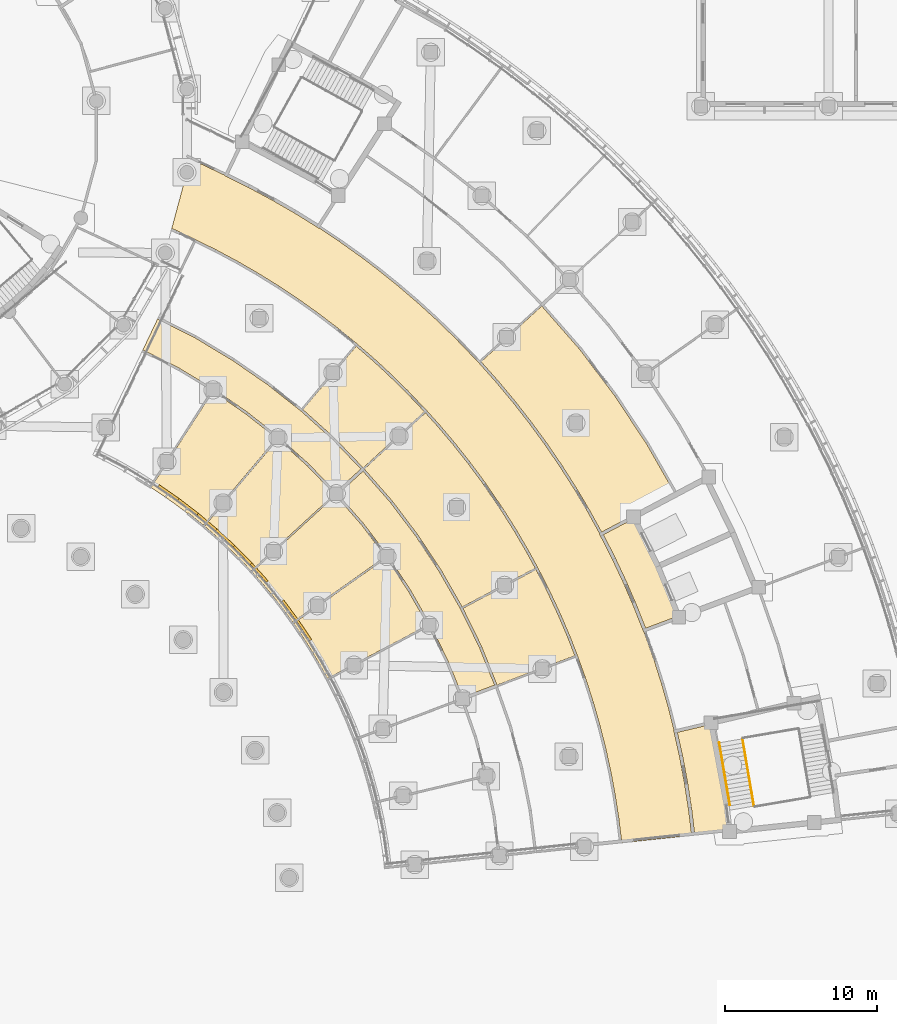
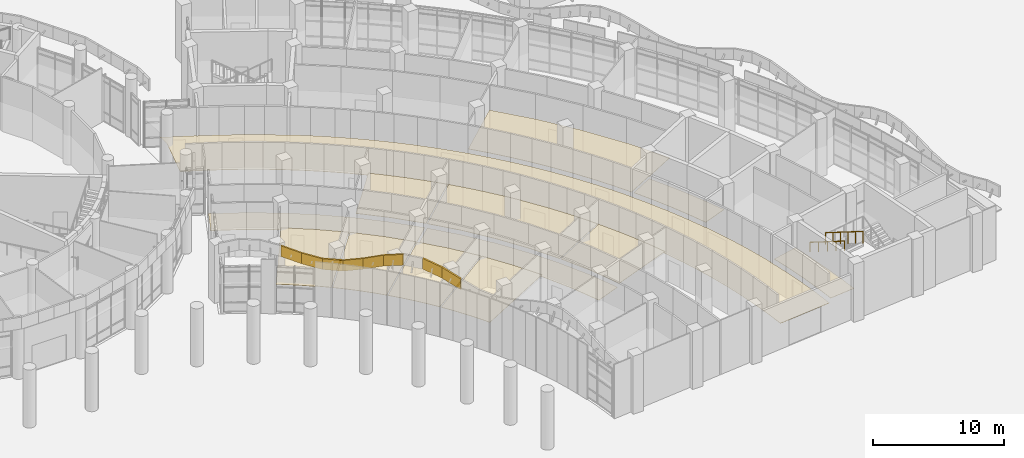
# One storey, part 132 of 146: 21 coverings, 2 railings.
"""IFC4 building model written with IfcOpenShell, lengths in metres."""

from ifc_helpers import new_model, si_unit, direction, frame, origin, origin_2d, place, context, subcontext, project, spatial, polyline, circle, outline, extrude, material, layer, layer_set, type_object, element, save


model = new_model("IFC4")

# Units and contexts
model_context = context("Model", 3, precision=1e-05, world=origin(), true_north=direction((0.0, 1.0)))
body_context = subcontext(model_context, "Body", "Model", "MODEL_VIEW")
ifc_project = project(units=[si_unit("LENGTHUNIT", "METRE"), si_unit("AREAUNIT", "SQUARE_METRE"), si_unit("VOLUMEUNIT", "CUBIC_METRE"), si_unit("PLANEANGLEUNIT", "RADIAN"), si_unit("MASSUNIT", "GRAM", prefix="KILO")], contexts=[model_context])

# Site, building, storey
site_placement = place(None, origin())
site = spatial("IfcSite", under=ifc_project, at=site_placement, CompositionType="ELEMENT")
building_placement = place(site_placement, origin())
building = spatial("IfcBuilding", under=site, at=building_placement, Name="Bougainvillea Quay General Hospital", CompositionType="ELEMENT")
storey_placement = place(building_placement, origin())
storey = spatial("IfcBuildingStorey", under=building, at=storey_placement, Name="L00", CompositionType="ELEMENT", Elevation=0.0)

# Coverings
ifc_material_1 = material(Name="Powder-coated aluminium fascia, red", Category="aluminium")
ifc_layer_1 = layer(ifc_material_1, 0.14990234375)
ifc_layer_set_1 = layer_set([ifc_layer_1], Name="Powder-coated aluminium fascia, red")
covering_type_1 = type_object("IfcCoveringType", Name="Aluminium wave fascia ribbon red 150x1000", PredefinedType="CLADDING", material=ifc_layer_set_1)
covering_1_placement = place(storey_placement, frame((128.119873046875, 50.60986328125, 5.111083984375), z_axis=(0.28462892404, -0.197745169229, 0.938020907894), x_axis=(0.770216823631, -0.535396371926, -0.346578662824)))
element("IfcCovering", 1, at=covering_1_placement, inside=storey, type_object=covering_type_1, Name="Fascia ribbon red a21 4", PredefinedType="CLADDING", context=body_context, shape_type="SweptSolid", body=[
    extrude(outline(polyline([(0.0, 0.0), (1.6967989637632428, 1.0076303940537157e-17), (1.7004597994549977, 0.14987532019700858), (-0.003732355688734384, 0.15007823169017317), (0.0, 0.0)])), origin(), (-0.346578662824, -8.2637144e-05, 0.938020907894), 1.0),
])
covering_2_placement = place(storey_placement, frame((129.4267578125, 49.701416015625, 4.52197265625), z_axis=(0.185206331302, -0.140899059799, 0.972546178746), x_axis=(0.771927115249, -0.591587053206, -0.23270858863)))
element("IfcCovering", 2, at=covering_2_placement, inside=storey, type_object=covering_type_1, Name="Fascia ribbon red a21 5", PredefinedType="CLADDING", context=body_context, shape_type="SweptSolid", body=[
    extrude(outline(polyline([(0.0, 0.0), (1.6367144708721066, -4.87890977618477e-18), (1.6403161738115757, 0.14999542938407845), (-0.0035858614344670666, 0.14987396388533844), (0.0, 0.0)])), origin(), (-0.23270858863, -0.000801862998, 0.972546178746), 1.0),
])
covering_3_placement = place(storey_placement, frame((130.690185546875, 48.733154296875, 4.140625), z_axis=(-0.016960149641, 0.014305046343, 0.999753829187), x_axis=(0.764488213461, -0.644255764848, 0.022187404963)))
element("IfcCovering", 3, at=covering_3_placement, inside=storey, type_object=covering_type_1, Name="Fascia ribbon red a21 6", PredefinedType="CLADDING", context=body_context, shape_type="SweptSolid", body=[
    extrude(outline(polyline([(0.0, 0.0), (1.591970064929263, -2.1860226302738983e-17), (1.5955806730953606, 0.1499091389737139), (-0.0034840207958794916, 0.14999501050079828), (0.0, 0.0)])), origin(), (0.022187404963, -9.365143e-06, 0.999753829187), 1.0),
])
covering_4_placement = place(storey_placement, frame((131.9072265625, 47.70751953125, 4.176513671875), z_axis=(-0.192171080116, 0.178094175246, 0.965066184627), x_axis=(0.708242396132, -0.655549748998, 0.262006173418)))
element("IfcCovering", 4, at=covering_4_placement, inside=storey, type_object=covering_type_1, Name="Fascia ribbon red a21 7", PredefinedType="CLADDING", context=body_context, shape_type="SweptSolid", body=[
    extrude(outline(polyline([(0.0, 0.0), (1.6494435133681766, -4.9859747407177135e-17), (1.6531247465053442, 0.1499932965656159), (-0.003502503419738787, 0.1499149006256523), (0.0, 0.0)])), origin(), (0.262006173418, -0.000156142079, 0.965066184627), 1.0),
])
covering_5_placement = place(storey_placement, frame((133.075439453125, 46.626220703125, 4.60986328125), z_axis=(-0.243944931918, 0.248711334076, 0.937354544713), x_axis=(0.657686926525, -0.667893603137, 0.348376293061)))
element("IfcCovering", 5, at=covering_5_placement, inside=storey, type_object=covering_type_1, Name="Fascia ribbon red a21 8", PredefinedType="CLADDING", context=body_context, shape_type="SweptSolid", body=[
    extrude(outline(polyline([(0.0, 0.0), (1.6982585759552395, 1.5720931501039814e-18), (1.7018095355990621, 0.14987596464010355), (-0.003696614304025443, 0.1499968721057553), (0.0, 0.0)])), origin(), (0.348376293061, -0.000644933354, 0.937354544713), 1.0),
])
covering_6_placement = place(storey_placement, frame((134.1923828125, 45.491943359375, 5.20263671875), z_axis=(-0.172786615836, 0.192383146656, 0.965988359283), x_axis=(0.645163574982, -0.718955828484, 0.258585533636)))
element("IfcCovering", 6, at=covering_6_placement, inside=storey, type_object=covering_type_1, Name="Fascia ribbon red a21 9", PredefinedType="CLADDING", context=body_context, shape_type="SweptSolid", body=[
    extrude(outline(polyline([(0.0, 0.0), (1.647619053093062, -6.69901417324481e-17), (1.6512365317334392, 0.14973473926664982), (-0.0037418525169436844, 0.14986955279020484), (0.0, 0.0)])), origin(), (0.258585533636, 0.000107345876, 0.965988359283), 1.0),
])
covering_7_placement = place(storey_placement, frame((136.26220703125, 43.074462890625, 5.655029296875), z_axis=(0.14113523215, -0.190041574532, 0.971578636136), x_axis=(0.578933841184, -0.78025679348, -0.236717011977)))
element("IfcCovering", 7, at=covering_7_placement, inside=storey, type_object=covering_type_1, Name="Fascia ribbon red a21 11", PredefinedType="CLADDING", context=body_context, shape_type="SweptSolid", body=[
    extrude(outline(polyline([(0.0, 0.0), (1.6383030172567656, 9.021917327795004e-17), (1.6418627083301989, 0.1500684895691982), (-0.003686773195609221, 0.15008130808699988), (0.0, 0.0)])), origin(), (-0.236717011977, -0.000100224956, 0.971578636136), 1.0),
])
covering_8_placement = place(storey_placement, frame((137.210693359375, 41.796142578125, 5.26611328125), z_axis=(0.193021610905, -0.288367210094, 0.937863001651), x_axis=(0.523349363812, -0.778262768385, -0.347005052908)))
element("IfcCovering", 8, at=covering_8_placement, inside=storey, type_object=covering_type_1, Name="Fascia ribbon red a21 12", PredefinedType="CLADDING", context=body_context, shape_type="SweptSolid", body=[
    extrude(outline(polyline([(0.0, 0.0), (1.6971002807919033, -2.8080836267374565e-17), (1.7008173265398976, 0.15003790677857468), (-0.0038193194483469063, 0.15006612348721687), (0.0, 0.0)])), origin(), (-0.347005052908, 0.000695262686, 0.937863001651), 1.0),
])

# Railings
ifc_material_2 = material(Name="Stainless steel 304 balustrade", Category="steel")
railing_type_1 = type_object("IfcRailingType", Name="Stair guard 1100", PredefinedType="GUARDRAIL", material=ifc_material_2)
railing_1_placement = place(storey_placement, frame((166.541259765625, 34.027099609375, 2.85888671875)))
element("IfcRailing", 9, at=railing_1_placement, inside=storey, type_object=railing_type_1, Name="L00 ST-E2 stair guard 4", PredefinedType="GUARDRAIL", context=body_context, shape_type="SweptSolid", body=[
    extrude(circle(Radius=0.02392578125, at=origin_2d()), frame((0.0, 0.0, 1.076171875), z_axis=(0.145903218604, -0.857501372498, 0.493359551407), x_axis=(0.985831525251, 0.167738498326, 0.0)), (0.0, 0.0, 1.0), 5.150390625),
    extrude(circle(Radius=0.02099609375, at=origin_2d()), origin(), (0.0, 0.0, 1.0), 1.052001953125),
    extrude(circle(Radius=0.02099609375, at=origin_2d()), frame((0.150390625, -0.88330078125, 0.50830078125)), (0.0, 0.0, 1.0), 1.052001953125),
    extrude(circle(Radius=0.02099609375, at=origin_2d()), frame((0.300537109375, -1.7666015625, 1.016357421875)), (0.0, 0.0, 1.0), 1.052001953125),
    extrude(circle(Radius=0.02099609375, at=origin_2d()), frame((0.450927734375, -2.64990234375, 1.524658203125)), (0.0, 0.0, 1.0), 1.052001953125),
    extrude(circle(Radius=0.02099609375, at=origin_2d()), frame((0.60107421875, -3.533203125, 2.03271484375)), (0.0, 0.0, 1.0), 1.052001953125),
    extrude(circle(Radius=0.02099609375, at=origin_2d()), frame((0.75146484375, -4.41650390625, 2.541015625)), (0.0, 0.0, 1.0), 1.052001953125),
])
ifc_material_3 = material(Name="Stainless steel 304 handrail", Category="steel")
railing_type_2 = type_object("IfcRailingType", Name="Stair handrail 900", PredefinedType="HANDRAIL", material=ifc_material_3)
railing_2_placement = place(storey_placement, frame((165.01318359375, 33.76708984375, 2.85888671875)))
element("IfcRailing", 10, at=railing_2_placement, inside=storey, type_object=railing_type_2, Name="L00 ST-E2 stair handrail 2", PredefinedType="HANDRAIL", context=body_context, shape_type="SweptSolid", body=[
    extrude(circle(Radius=0.02392578125, at=origin_2d()), frame((0.0, 0.0, 0.8759765625), z_axis=(0.145918365251, -0.857475914672, 0.49339931743), x_axis=(0.985827821914, 0.167760262103, 0.0)), (0.0, 0.0, 1.0), 4.751708984375),
    extrude(circle(Radius=0.02099609375, at=origin_2d()), origin(), (0.0, 0.0, 1.0), 0.851806640625),
    extrude(circle(Radius=0.02099609375, at=origin_2d()), frame((0.17333984375, -1.0185546875, 0.586181640625)), (0.0, 0.0, 1.0), 0.851806640625),
    extrude(circle(Radius=0.02099609375, at=origin_2d()), frame((0.3466796875, -2.037109375, 1.17236328125)), (0.0, 0.0, 1.0), 0.851806640625),
    extrude(circle(Radius=0.02099609375, at=origin_2d()), frame((0.52001953125, -3.055908203125, 1.75830078125)), (0.0, 0.0, 1.0), 0.851806640625),
    extrude(circle(Radius=0.02099609375, at=origin_2d()), frame((0.693359375, -4.074462890625, 2.344482421875)), (0.0, 0.0, 1.0), 0.851806640625),
])

# Coverings
ifc_material_4 = material(Name="Mineral fibre ceiling tile")
ifc_layer_2 = layer(ifc_material_4, 0.030029296875)
ifc_layer_set_2 = layer_set([ifc_layer_2], Name="Mineral fibre ceiling tile")
covering_type_2 = type_object("IfcCoveringType", Name="Suspended ceiling mineral fibre tile", PredefinedType="CEILING", material=ifc_layer_set_2)
covering_9_placement = place(storey_placement, frame((0.0, 0.0, 2.39990234375)))
element("IfcCovering", 11, at=covering_9_placement, inside=storey, type_object=covering_type_2, Name="Ceiling Outpatient Spine Corridor", PredefinedType="CEILING", context=body_context, shape_type="SweptSolid", body=[
    extrude(outline(polyline([(163.20263671875, 27.67626953125), (162.993896484375, 29.3994140625), (162.73046875, 31.111083984375), (162.412109375, 32.81396484375), (162.03955078125, 34.5068359375), (162.0166015625, 34.603271484375), (162.01806640625, 34.603515625), (162.017822265625, 34.605224609375), (162.039306640625, 34.60986328125), (161.70751953125, 35.935791015625), (161.251220703125, 37.553466796875), (160.744873046875, 39.1552734375), (160.07568359375, 41.043212890625), (160.0556640625, 41.03515625), (160.05517578125, 41.03662109375), (160.0537109375, 41.0361328125), (160.018798828125, 41.12890625), (159.382568359375, 42.74072265625), (158.69580078125, 44.331787109375), (157.958251953125, 45.89892578125), (157.170166015625, 47.44287109375), (157.123779296875, 47.530517578125), (157.125244140625, 47.53125), (157.12451171875, 47.53271484375), (157.143798828125, 47.54248046875), (156.35693359375, 48.9716796875), (155.47216796875, 50.462646484375), (154.540283203125, 51.923583984375), (153.562744140625, 53.354736328125), (152.5400390625, 54.753662109375), (151.4736328125, 56.119873046875), (150.36328125, 57.451171875), (149.2119140625, 58.74609375), (147.61376953125, 60.4140625), (146.40673828125, 61.583251953125), (145.164306640625, 62.7158203125), (143.88818359375, 63.808349609375), (142.577880859375, 64.86181640625), (141.489501953125, 65.6875), (140.079345703125, 66.6953125), (138.72265625, 67.601806640625), (138.711181640625, 67.583251953125), (138.709716796875, 67.583984375), (138.708984375, 67.582763671875), (138.62548828125, 67.636474609375), (137.153564453125, 68.55224609375), (135.654296875, 69.419677734375), (134.128173828125, 70.240234375), (132.576171875, 71.010986328125), (132.486572265625, 71.0537109375), (132.4873046875, 71.05517578125), (132.48583984375, 71.055908203125), (132.496337890625, 71.076904296875), (130.02001953125, 72.2578125), (130.02001953125, 71.259033203125), (129.012939453125, 67.5029296875), (129.04541015625, 67.57080078125), (130.5185546875, 66.867431640625), (130.519287109375, 66.868408203125), (130.653076171875, 66.803466796875), (130.652587890625, 66.80224609375), (131.917236328125, 66.174560546875), (131.91845703125, 66.176513671875), (131.9833984375, 66.1416015625), (132.049560546875, 66.10888671875), (132.048583984375, 66.106689453125), (133.29443359375, 65.4384765625), (133.295654296875, 65.4404296875), (133.359375, 65.403564453125), (133.424560546875, 65.36865234375), (133.42333984375, 65.36669921875), (134.647705078125, 64.659423828125), (134.64892578125, 64.661376953125), (134.71142578125, 64.622314453125), (134.775390625, 64.58544921875), (134.7744140625, 64.58349609375), (135.975830078125, 63.838134765625), (135.97705078125, 63.840087890625), (136.03857421875, 63.799072265625), (136.101318359375, 63.76025390625), (136.10009765625, 63.75830078125), (137.277099609375, 62.9755859375), (137.2783203125, 62.9775390625), (137.338623046875, 62.934814453125), (137.39990234375, 62.89404296875), (137.398681640625, 62.89208984375), (138.55029296875, 62.0732421875), (138.551513671875, 62.0751953125), (138.6103515625, 62.030517578125), (138.670654296875, 61.987548828125), (138.669189453125, 61.98583984375), (139.795654296875, 61.130615234375), (139.79736328125, 61.132568359375), (139.8544921875, 61.0859375), (139.9130859375, 61.041259765625), (139.91162109375, 61.039306640625), (141.15185546875, 60.027099609375), (141.1533203125, 60.02880859375), (141.209228515625, 59.98046875), (141.2666015625, 59.93359375), (141.26513671875, 59.93212890625), (142.19287109375, 59.130615234375), (142.194091796875, 59.1318359375), (142.3046875, 59.03369140625), (142.303466796875, 59.0322265625), (142.846923828125, 58.536865234375), (143.343505859375, 58.07470703125), (143.344970703125, 58.076171875), (143.451904296875, 57.973876953125), (143.45068359375, 57.972412109375), (144.460693359375, 56.983154296875), (144.462646484375, 56.985107421875), (144.513427734375, 56.931640625), (144.566162109375, 56.880126953125), (144.564208984375, 56.878173828125), (145.731201171875, 55.650634765625), (145.732666015625, 55.65185546875), (145.781982421875, 55.596923828125), (145.8330078125, 55.543212890625), (145.83154296875, 55.541748046875), (146.589111328125, 54.6982421875), (146.5908203125, 54.69970703125), (146.638671875, 54.643310546875), (146.68798828125, 54.58837890625), (146.686279296875, 54.5869140625), (147.598388671875, 53.5068359375), (147.600341796875, 53.50830078125), (147.64599609375, 53.450439453125), (147.693603515625, 53.39404296875), (147.69189453125, 53.392578125), (148.569580078125, 52.283447265625), (148.571533203125, 52.284912109375), (148.615478515625, 52.2255859375), (148.661376953125, 52.167724609375), (148.65966796875, 52.166259765625), (149.502197265625, 51.030517578125), (149.504638671875, 51.0322265625), (149.546142578125, 50.971435546875), (149.58984375, 50.912353515625), (149.587646484375, 50.91064453125), (150.80615234375, 49.1279296875), (150.80859375, 49.12939453125), (150.84765625, 49.067138671875), (150.88916015625, 49.00634765625), (150.886962890625, 49.0048828125), (151.639892578125, 47.806396484375), (151.641845703125, 47.8076171875), (151.67919921875, 47.743896484375), (151.718505859375, 47.681396484375), (151.71630859375, 47.68017578125), (152.429931640625, 46.459716796875), (152.431884765625, 46.460693359375), (152.46728515625, 46.39599609375), (152.504638671875, 46.33203125), (152.502685546875, 46.3310546875), (153.044921875, 45.3369140625), (153.046875, 45.337890625), (153.080322265625, 45.27197265625), (153.11572265625, 45.20703125), (153.11376953125, 45.2060546875), (153.882080078125, 43.694580078125), (153.884521484375, 43.695556640625), (153.91552734375, 43.62890625), (153.94873046875, 43.563232421875), (153.946533203125, 43.56201171875), (154.54248046875, 42.279541015625), (154.54443359375, 42.280517578125), (154.573486328125, 42.212646484375), (154.604736328125, 42.1455078125), (154.6025390625, 42.14453125), (155.157470703125, 40.84423828125), (155.159423828125, 40.84521484375), (155.1865234375, 40.7763671875), (155.21533203125, 40.70849609375), (155.21337890625, 40.70751953125), (155.659423828125, 39.567138671875), (155.661376953125, 39.56787109375), (155.686279296875, 39.498291015625), (155.713134765625, 39.429443359375), (155.711181640625, 39.4287109375), (156.251220703125, 37.91943359375), (156.253662109375, 37.920166015625), (156.276123046875, 37.85009765625), (156.30078125, 37.78076171875), (156.298583984375, 37.77978515625), (156.728271484375, 36.43310546875), (156.73046875, 36.43359375), (156.750732421875, 36.36279296875), (156.773193359375, 36.292236328125), (156.77099609375, 36.291748046875), (157.1591796875, 34.932373046875), (157.161376953125, 34.93310546875), (157.179443359375, 34.861328125), (157.19970703125, 34.79052734375), (157.197509765625, 34.789794921875), (157.5419921875, 33.418701171875), (157.544189453125, 33.419189453125), (157.56005859375, 33.34716796875), (157.578125, 33.275634765625), (157.57568359375, 33.27490234375), (157.877685546875, 31.89404296875), (157.880126953125, 31.89453125), (157.8935546875, 31.82177734375), (157.9091796875, 31.749755859375), (157.906982421875, 31.749267578125), (158.16455078125, 30.360107421875), (158.166748046875, 30.360595703125), (158.177978515625, 30.28759765625), (158.19140625, 30.21484375), (158.189208984375, 30.214599609375), (158.403076171875, 28.817138671875), (158.405517578125, 28.817626953125), (158.414306640625, 28.744140625), (158.425537109375, 28.671142578125), (158.42333984375, 28.6708984375), (158.603271484375, 27.192138671875), (163.20263671875, 27.67626953125)])), origin(), (0.0, 0.0, 1.0), 0.030029296875),
])
covering_10_placement = place(storey_placement, frame((0.0, 0.0, 2.699951171875)))
element("IfcCovering", 12, at=covering_10_placement, inside=storey, type_object=covering_type_2, Name="Ceiling Lift Lobby LB-E1", PredefinedType="CEILING", context=body_context, shape_type="SweptSolid", body=[
    extrude(outline(polyline([(158.093017578125, 46.07470703125), (158.095947265625, 46.076171875), (158.1376953125, 45.987060546875), (158.1826171875, 45.8994140625), (158.1796875, 45.89794921875), (158.836181640625, 44.503173828125), (158.839111328125, 44.50439453125), (158.878173828125, 44.4140625), (158.920166015625, 44.3251953125), (158.917236328125, 44.32373046875), (159.5283203125, 42.907470703125), (159.53125, 42.90869140625), (159.5673828125, 42.817138671875), (159.6064453125, 42.726806640625), (159.603515625, 42.7255859375), (160.1689453125, 41.293212890625), (162.227783203125, 42.06884765625), (161.6005859375, 43.65771484375), (160.8828125, 45.31884765625), (160.11328125, 46.955078125), (159.336181640625, 48.47705078125), (157.392822265625, 47.44677734375), (158.093017578125, 46.07470703125)])), origin(), (0.0, 0.0, 1.0), 0.030029296875),
])
covering_11_placement = place(storey_placement, frame((0.0, 0.0, 2.699951171875)))
element("IfcCovering", 13, at=covering_11_placement, inside=storey, type_object=covering_type_2, Name="Ceiling Smoke-proof Vestibule ST-E2", PredefinedType="CEILING", context=body_context, shape_type="SweptSolid", body=[
    extrude(outline(polyline([(165.576416015625, 28.02978515625), (165.370849609375, 29.726318359375), (165.096435546875, 31.51416015625), (164.763916015625, 33.2919921875), (164.397216796875, 34.961181640625), (162.255859375, 34.454345703125), (162.5869140625, 32.9501953125), (162.58984375, 32.95068359375), (162.60791015625, 32.85400390625), (162.629150390625, 32.7578125), (162.626220703125, 32.757080078125), (162.909423828125, 31.241455078125), (162.91259765625, 31.241943359375), (162.927490234375, 31.144775390625), (162.945556640625, 31.048095703125), (162.942626953125, 31.047607421875), (163.177001953125, 29.52392578125), (163.18017578125, 29.5244140625), (163.192138671875, 29.426513671875), (163.20703125, 29.329345703125), (163.203857421875, 29.328857421875), (163.389404296875, 27.7998046875), (165.576416015625, 28.02978515625)])), origin(), (0.0, 0.0, 1.0), 0.030029296875),
])
covering_12_placement = place(storey_placement, frame((0.0, 0.0, 2.699951171875)))
element("IfcCovering", 14, at=covering_12_placement, inside=storey, type_object=covering_type_2, Name="Ceiling Rheumatology Waiting Hall 00E101", PredefinedType="CEILING", context=body_context, shape_type="SweptSolid", body=[
    extrude(outline(polyline([(153.3447265625, 62.4736328125), (149.35693359375, 58.8115234375), (149.373046875, 58.794677734375), (149.37109375, 58.792724609375), (150.427734375, 57.604248046875), (150.429443359375, 57.605712890625), (150.476806640625, 57.548828125), (150.52587890625, 57.493896484375), (150.524169921875, 57.4921875), (151.54296875, 56.270751953125), (151.544921875, 56.272216796875), (151.59033203125, 56.214111328125), (151.6376953125, 56.157470703125), (151.6357421875, 56.156005859375), (152.614501953125, 54.90234375), (152.6162109375, 54.90380859375), (152.659912109375, 54.84423828125), (152.705322265625, 54.7861328125), (152.703369140625, 54.78466796875), (153.6416015625, 53.5009765625), (153.6435546875, 53.502197265625), (153.685302734375, 53.44140625), (153.728759765625, 53.381591796875), (153.726806640625, 53.38037109375), (154.6240234375, 52.0673828125), (154.6259765625, 52.068603515625), (154.66552734375, 52.00634765625), (154.707275390625, 51.9453125), (154.705322265625, 51.944091796875), (155.560302734375, 50.603515625), (155.562255859375, 50.604736328125), (155.599853515625, 50.541259765625), (155.6396484375, 50.47900390625), (155.637451171875, 50.477783203125), (156.449462890625, 49.109619140625), (156.451416015625, 49.11083984375), (156.487060546875, 49.046142578125), (156.524658203125, 48.982666015625), (156.522705078125, 48.9814453125), (157.277099609375, 47.61181640625), (159.2451171875, 48.6552734375), (159.244384765625, 48.656494140625), (159.42041015625, 48.748291015625), (159.421142578125, 48.746826171875), (159.422607421875, 48.74755859375), (159.444580078125, 48.704345703125), (162.114990234375, 50.121337890625), (160.2421875, 53.396728515625), (158.1357421875, 56.586669921875), (155.830810546875, 59.63671875), (153.3447265625, 62.4736328125)])), origin(), (0.0, 0.0, 1.0), 0.030029296875),
])
covering_13_placement = place(storey_placement, frame((0.0, 0.0, 2.39990234375)))
element("IfcCovering", 15, at=covering_13_placement, inside=storey, type_object=covering_type_2, Name="Ceiling Clinic Corridor 00E1", PredefinedType="CEILING", context=body_context, shape_type="SweptSolid", body=[
    extrude(outline(polyline([(127.09912109375, 59.527099609375), (127.1328125, 59.593994140625), (129.438720703125, 58.427490234375), (129.44140625, 58.431884765625), (129.503173828125, 58.394775390625), (129.56787109375, 58.362060546875), (129.5654296875, 58.357421875), (131.72021484375, 57.0634765625), (131.722900390625, 57.0673828125), (131.78271484375, 57.026123046875), (131.844970703125, 56.98876953125), (131.842529296875, 56.984619140625), (133.91064453125, 55.5556640625), (133.91357421875, 55.559326171875), (133.970703125, 55.514404296875), (134.0302734375, 55.47314453125), (134.02783203125, 55.46923828125), (136.000244140625, 53.912353515625), (136.00341796875, 53.916015625), (136.057373046875, 53.867431640625), (136.1142578125, 53.822509765625), (136.111328125, 53.81884765625), (137.981201171875, 52.137451171875), (137.985107421875, 52.14111328125), (138.03515625, 52.0888671875), (138.0888671875, 52.04052734375), (138.08544921875, 52.03662109375), (139.807861328125, 50.245849609375), (141.46435546875, 51.767333984375), (139.5908203125, 53.714111328125), (137.507568359375, 55.587646484375), (135.307373046875, 57.32373046875), (133.00244140625, 58.9169921875), (130.599609375, 60.359375), (128.099609375, 61.624267578125), (127.09912109375, 59.527099609375)])), origin(), (0.0, 0.0, 1.0), 0.030029296875),
])
covering_14_placement = place(storey_placement, frame((0.0, 0.0, 2.699951171875)))
element("IfcCovering", 16, at=covering_14_placement, inside=storey, type_object=covering_type_2, Name="Ceiling Children's Outpatient Consulting Room 00E102", PredefinedType="CEILING", context=body_context, shape_type="SweptSolid", body=[
    extrude(outline(polyline([(141.574951171875, 51.868896484375), (141.57958984375, 51.87060546875), (141.611328125, 51.83447265625), (145.63720703125, 55.531494140625), (144.406494140625, 56.826416015625), (143.294189453125, 57.915771484375), (142.690185546875, 58.476806640625), (142.149169921875, 58.969970703125), (141.150390625, 59.8330078125), (137.6435546875, 55.67138671875), (137.661376953125, 55.657470703125), (137.658447265625, 55.65380859375), (139.641357421875, 53.870361328125), (139.64501953125, 53.8740234375), (139.695068359375, 53.822021484375), (139.7490234375, 53.773681640625), (139.745361328125, 53.769775390625), (141.574951171875, 51.868896484375)])), origin(), (0.0, 0.0, 1.0), 0.030029296875),
])
covering_15_placement = place(storey_placement, frame((0.0, 0.0, 2.699951171875)))
element("IfcCovering", 17, at=covering_15_placement, inside=storey, type_object=covering_type_2, Name="Ceiling Children's Outpatient Examination Room 00E112", PredefinedType="CEILING", context=body_context, shape_type="SweptSolid", body=[
    extrude(outline(polyline([(130.090087890625, 48.825927734375), (130.12158203125, 48.86474609375), (131.1044921875, 48.067626953125), (135.92138671875, 53.78369140625), (133.88134765625, 55.3935546875), (131.742431640625, 56.87158203125), (127.665771484375, 50.54736328125), (128.39111328125, 50.06591796875), (129.25, 49.458984375), (130.090087890625, 48.825927734375)])), origin(), (0.0, 0.0, 1.0), 0.030029296875),
])
covering_16_placement = place(storey_placement, frame((0.0, 0.0, 2.699951171875)))
element("IfcCovering", 18, at=covering_16_placement, inside=storey, type_object=covering_type_2, Name="Ceiling Children's Outpatient Treatment Room 00E113", PredefinedType="CEILING", context=body_context, shape_type="SweptSolid", body=[
    extrude(outline(polyline([(131.92626953125, 47.356689453125), (131.99951171875, 47.290771484375), (131.99853515625, 47.289794921875), (132.722412109375, 46.61767578125), (132.7236328125, 46.61865234375), (132.794677734375, 46.550537109375), (132.793701171875, 46.549560546875), (133.49560546875, 45.854736328125), (133.496826171875, 45.855712890625), (133.565673828125, 45.785400390625), (133.564697265625, 45.7841796875), (134.244384765625, 45.068115234375), (139.732177734375, 50.1083984375), (137.930908203125, 51.98095703125), (135.997802734375, 53.71923828125), (131.180908203125, 48.00341796875), (131.92529296875, 47.35546875), (131.92626953125, 47.356689453125)])), origin(), (0.0, 0.0, 1.0), 0.030029296875),
])
covering_17_placement = place(storey_placement, frame((0.0, 0.0, 2.39990234375)))
element("IfcCovering", 19, at=covering_17_placement, inside=storey, type_object=covering_type_2, Name="Ceiling Clinic Corridor 00E1", PredefinedType="CEILING", context=body_context, shape_type="SweptSolid", body=[
    extrude(outline(polyline([(143.380859375, 49.587646484375), (141.599609375, 51.6201171875), (139.943115234375, 50.0986328125), (141.58154296875, 48.22998046875), (141.585693359375, 48.233154296875), (141.629150390625, 48.17529296875), (141.6767578125, 48.12109375), (141.6728515625, 48.11767578125), (143.1884765625, 46.111328125), (143.1923828125, 46.114013671875), (143.232177734375, 46.05322265625), (143.276123046875, 45.995361328125), (143.2724609375, 45.99267578125), (144.65673828125, 43.89501953125), (144.660888671875, 43.8974609375), (144.697021484375, 43.834228515625), (144.73681640625, 43.773681640625), (144.733154296875, 43.771240234375), (145.981201171875, 41.59033203125), (145.9853515625, 41.59228515625), (146.017333984375, 41.527099609375), (146.053466796875, 41.464111328125), (146.04931640625, 41.4619140625), (147.15576171875, 39.20361328125), (147.160400390625, 39.20556640625), (147.1875, 39.138671875), (147.21923828125, 39.07373046875), (147.214599609375, 39.0712890625), (148.143798828125, 36.76611328125), (150.248291015625, 37.558349609375), (149.238525390625, 40.064453125), (148.004638671875, 42.580810546875), (146.614013671875, 45.013671875), (145.06982421875, 47.352783203125), (143.380859375, 49.587646484375)])), origin(), (0.0, 0.0, 1.0), 0.030029296875),
])
covering_18_placement = place(storey_placement, frame((0.0, 0.0, 2.699951171875)))
element("IfcCovering", 20, at=covering_18_placement, inside=storey, type_object=covering_type_2, Name="Ceiling Neurology Waiting Hall 00E101", PredefinedType="CEILING", context=body_context, shape_type="SweptSolid", body=[
    extrude(outline(polyline([(141.678955078125, 51.7607421875), (141.71240234375, 51.72607421875), (141.710205078125, 51.721435546875), (143.449462890625, 49.73681640625), (143.45361328125, 49.739990234375), (143.497314453125, 49.682373046875), (143.544921875, 49.6279296875), (143.540771484375, 49.62451171875), (145.1484375, 47.497314453125), (145.15234375, 47.5), (145.1923828125, 47.439208984375), (145.236083984375, 47.38134765625), (145.232421875, 47.378662109375), (146.701904296875, 45.153076171875), (146.705810546875, 45.1552734375), (146.741943359375, 45.09228515625), (146.781982421875, 45.03173828125), (146.778076171875, 45.029052734375), (148.10107421875, 42.71435546875), (148.105224609375, 42.71630859375), (148.115234375, 42.696044921875), (152.923828125, 45.245849609375), (152.336669921875, 46.322021484375), (151.55078125, 47.666015625), (150.72216796875, 48.98486328125), (149.423828125, 50.884521484375), (148.49658203125, 52.13427734375), (147.530029296875, 53.35546875), (146.525390625, 54.544677734375), (145.705078125, 55.4580078125), (141.678955078125, 51.7607421875)])), origin(), (0.0, 0.0, 1.0), 0.030029296875),
])
covering_19_placement = place(storey_placement, frame((0.0, 0.0, 2.699951171875)))
element("IfcCovering", 21, at=covering_19_placement, inside=storey, type_object=covering_type_2, Name="Ceiling Neurology Consulting Room 00E102", PredefinedType="CEILING", context=body_context, shape_type="SweptSolid", body=[
    extrude(outline(polyline([(150.40966796875, 37.565673828125), (155.527587890625, 39.4921875), (155.047607421875, 40.7197265625), (154.4365234375, 42.1513671875), (153.780517578125, 43.563232421875), (152.970458984375, 45.1572265625), (148.162109375, 42.607666015625), (148.17333984375, 42.588134765625), (148.16943359375, 42.5859375), (149.34375, 40.190673828125), (149.3486328125, 40.192626953125), (149.37548828125, 40.12548828125), (149.407470703125, 40.060791015625), (149.402587890625, 40.058349609375), (150.388916015625, 37.611083984375), (150.393798828125, 37.611083984375), (150.40966796875, 37.565673828125)])), origin(), (0.0, 0.0, 1.0), 0.030029296875),
])
covering_20_placement = place(storey_placement, frame((0.0, 0.0, 2.699951171875)))
element("IfcCovering", 22, at=covering_20_placement, inside=storey, type_object=covering_type_2, Name="Ceiling Neurology Consulting Room 00E111", PredefinedType="CEILING", context=body_context, shape_type="SweptSolid", body=[
    extrude(outline(polyline([(135.03369140625, 44.183837890625), (135.032470703125, 44.182861328125), (135.664306640625, 43.42333984375), (135.66552734375, 43.424072265625), (135.727294921875, 43.34765625), (135.726318359375, 43.3466796875), (136.33447265625, 42.56884765625), (136.3359375, 42.56982421875), (136.395263671875, 42.491455078125), (136.393798828125, 42.490478515625), (136.976318359375, 41.693359375), (143.07958984375, 46.006591796875), (141.5126953125, 48.08056640625), (139.7998046875, 50.03466796875), (134.31201171875, 44.994384765625), (134.96826171875, 44.25732421875), (134.969482421875, 44.25830078125), (135.03369140625, 44.183837890625)])), origin(), (0.0, 0.0, 1.0), 0.030029296875),
])
covering_21_placement = place(storey_placement, frame((0.0, 0.0, 2.699951171875)))
element("IfcCovering", 23, at=covering_21_placement, inside=storey, type_object=covering_type_2, Name="Ceiling Neurology Examination Room 00E112", PredefinedType="CEILING", context=body_context, shape_type="SweptSolid", body=[
    extrude(outline(polyline([(138.176025390625, 39.880615234375), (138.177490234375, 39.881591796875), (138.22900390625, 39.797607421875), (138.227783203125, 39.796875), (138.731201171875, 38.9482421875), (138.732666015625, 38.948974609375), (138.781494140625, 38.863525390625), (138.7802734375, 38.86279296875), (139.257080078125, 37.998291015625), (145.85986328125, 41.500244140625), (144.569091796875, 43.755615234375), (143.13720703125, 45.925048828125), (137.033935546875, 41.611572265625), (137.591064453125, 40.796142578125), (137.59228515625, 40.797119140625), (137.646484375, 40.71484375), (137.645263671875, 40.714111328125), (138.176025390625, 39.880615234375)])), origin(), (0.0, 0.0, 1.0), 0.030029296875),
])

save(model, "model.ifc")
